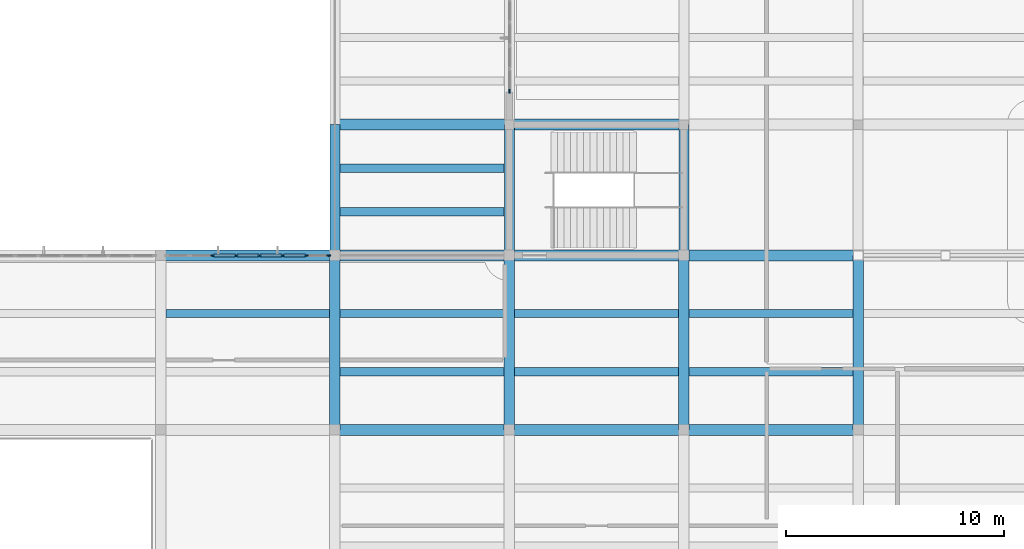
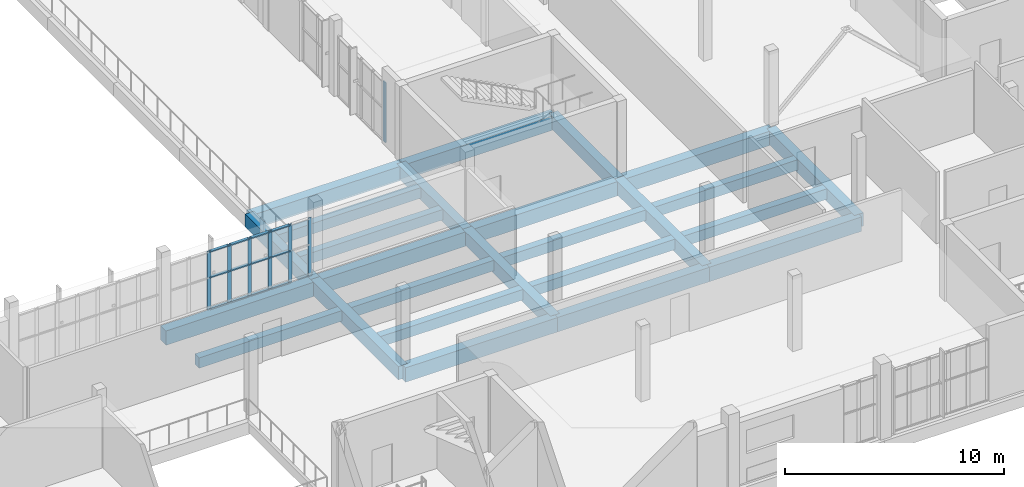
# One storey, part 19 of 70: 25 beams, 19 members, 2 elements without a shape of their own.
"""IFC4 building model written with IfcOpenShell, lengths in metres."""

from ifc_helpers import new_model, si_unit, direction, frame, origin, origin_2d, place, context, subcontext, project, spatial, rectangle, extrude, material, layer, layer_set, material_profile, profile_set, type_object, element, aggregate, save


model = new_model("IFC4")

# Units and contexts
model_context = context("Model", 3, precision=1e-05, world=origin(), true_north=direction((0.0, 1.0)))
body_context = subcontext(model_context, "Body", "Model", "MODEL_VIEW")
ifc_project = project(units=[si_unit("LENGTHUNIT", "METRE"), si_unit("AREAUNIT", "SQUARE_METRE"), si_unit("VOLUMEUNIT", "CUBIC_METRE"), si_unit("PLANEANGLEUNIT", "RADIAN"), si_unit("MASSUNIT", "GRAM", prefix="KILO")], contexts=[model_context])

# Site, building, storey
site_placement = place(None, origin())
site = spatial("IfcSite", under=ifc_project, at=site_placement, CompositionType="ELEMENT")
building_placement = place(site_placement, origin())
building = spatial("IfcBuilding", under=site, at=building_placement, Name="Solvane Community Centre", CompositionType="ELEMENT")
storey_placement = place(building_placement, frame((0.0, 0.0, 9.60009765625)))
storey = spatial("IfcBuildingStorey", under=building, at=storey_placement, Name="L02", CompositionType="ELEMENT", Elevation=9.60009765625)

# Curtain wall, members
ifc_material_1 = material(Name="Anodised bronze aluminium AW-6063 T6", Category="aluminium")
ifc_layer_1 = layer(ifc_material_1, 0.18994140625)
ifc_layer_set_1 = layer_set([ifc_layer_1], Name="Anodised bronze aluminium AW-6063 T6")
curtain_wall_type_1 = type_object("IfcCurtainWallType", Name="Boulevard Bronze Vision Curtain Wall [75x32dm]", PredefinedType="NOTDEFINED", material=ifc_layer_set_1)
curtain_wall_1_placement = place(storey_placement, origin())
curtain_wall_1 = element("IfcCurtainWall", 1, at=curtain_wall_1_placement, inside=storey, type_object=curtain_wall_type_1, Name="Curtain Wall CW-L02-1003_300-195", PredefinedType="NOTDEFINED")
ifc_material_profile_1 = material_profile(ifc_material_1, rectangle(XDim=0.06005859375, YDim=0.18994140625, at=origin_2d()), Name="CW-M 60x190")
ifc_profile_set_1 = profile_set([ifc_material_profile_1], Name="Anodised bronze aluminium AW-6063 T6")
member_type_1 = type_object("IfcMemberType", Name="Boulevard Mullion 60x190", PredefinedType="MULLION", material=ifc_profile_set_1)
member_1_placement = place(storey_placement, frame((102.39501953125, 30.0, 0.0), z_axis=(0.0, 0.0, 1.0), x_axis=(0.0, 1.0, 0.0)))
member_1 = element("IfcMember", 2, at=member_1_placement, type_object=member_type_1, Name="CW02-75x32 mullion 3", PredefinedType="MULLION", context=body_context, shape_type="SweptSolid", body=[
    extrude(rectangle(XDim=0.06005859375, YDim=0.18994140625, at=origin_2d()), origin(), (0.0, 0.0, 1.0), 3.244873046875),
])
member_2_placement = place(storey_placement, frame((103.465087890625, 30.0, 0.0), z_axis=(0.0, 0.0, 1.0), x_axis=(0.0, 1.0, 0.0)))
member_2 = element("IfcMember", 3, at=member_2_placement, type_object=member_type_1, Name="CW02-75x32 mullion 4", PredefinedType="MULLION", context=body_context, shape_type="SweptSolid", body=[
    extrude(rectangle(XDim=0.06005859375, YDim=0.18994140625, at=origin_2d()), origin(), (0.0, 0.0, 1.0), 3.244873046875),
])
member_3_placement = place(storey_placement, frame((104.534912109375, 30.0, 0.0), z_axis=(0.0, 0.0, 1.0), x_axis=(0.0, 1.0, 0.0)))
member_3 = element("IfcMember", 4, at=member_3_placement, type_object=member_type_1, Name="CW02-75x32 mullion 5", PredefinedType="MULLION", context=body_context, shape_type="SweptSolid", body=[
    extrude(rectangle(XDim=0.06005859375, YDim=0.18994140625, at=origin_2d()), origin(), (0.0, 0.0, 1.0), 3.244873046875),
])
member_4_placement = place(storey_placement, frame((105.60498046875, 30.0, 0.0), z_axis=(0.0, 0.0, 1.0), x_axis=(0.0, 1.0, 0.0)))
member_4 = element("IfcMember", 5, at=member_4_placement, type_object=member_type_1, Name="CW02-75x32 mullion 6", PredefinedType="MULLION", context=body_context, shape_type="SweptSolid", body=[
    extrude(rectangle(XDim=0.06005859375, YDim=0.18994140625, at=origin_2d()), origin(), (0.0, 0.0, 1.0), 3.244873046875),
])
member_5_placement = place(storey_placement, frame((106.675048828125, 30.0, 0.0), z_axis=(0.0, 0.0, 1.0), x_axis=(0.0, 1.0, 0.0)))
member_5 = element("IfcMember", 6, at=member_5_placement, type_object=member_type_1, Name="CW02-75x32 mullion 7", PredefinedType="MULLION", context=body_context, shape_type="SweptSolid", body=[
    extrude(rectangle(XDim=0.06005859375, YDim=0.18994140625, at=origin_2d()), origin(), (0.0, 0.0, 1.0), 3.244873046875),
])
member_6_placement = place(storey_placement, frame((107.715087890625, 30.0, 0.0), z_axis=(0.0, 0.0, 1.0), x_axis=(0.0, 1.0, 0.0)))
member_6 = element("IfcMember", 7, at=member_6_placement, type_object=member_type_1, Name="CW02-75x32 mullion 8", PredefinedType="MULLION", context=body_context, shape_type="SweptSolid", body=[
    extrude(rectangle(XDim=0.06005859375, YDim=0.18994140625, at=origin_2d()), origin(), (0.0, 0.0, 1.0), 3.244873046875),
])

# Curtain wall, member
ifc_layer_2 = layer(ifc_material_1, 0.18994140625)
ifc_layer_set_2 = layer_set([ifc_layer_2], Name="Anodised bronze aluminium AW-6063 T6")
curtain_wall_type_2 = type_object("IfcCurtainWallType", Name="Boulevard Bronze Vision Curtain Wall [43x33dm]", PredefinedType="NOTDEFINED", material=ifc_layer_set_2)
curtain_wall_2_placement = place(storey_placement, origin())
curtain_wall_2 = element("IfcCurtainWall", 8, at=curtain_wall_2_placement, inside=storey, type_object=curtain_wall_type_2, Name="Curtain Wall CW-L02-1160_375-196", PredefinedType="NOTDEFINED")
member_7_placement = place(storey_placement, frame((116.0, 37.530029296875, 0.0), z_axis=(0.0, 0.0, 1.0), x_axis=(-1.0, 0.0, 0.0)))
member_7 = element("IfcMember", 9, at=member_7_placement, type_object=member_type_1, Name="CW02-43x33 mullion 1", PredefinedType="MULLION", context=body_context, shape_type="SweptSolid", body=[
    extrude(rectangle(XDim=0.06005859375, YDim=0.18994140625, at=origin_2d()), origin(), (0.0, 0.0, 1.0), 3.344970703125),
])
aggregate(curtain_wall_2, [member_7])

# Member
ifc_material_profile_2 = material_profile(ifc_material_1, rectangle(XDim=0.14990234375, YDim=0.06005859375, at=origin_2d()), Name="CW-T 60x150")
ifc_profile_set_2 = profile_set([ifc_material_profile_2], Name="Anodised bronze aluminium AW-6063 T6")
member_type_2 = type_object("IfcMemberType", Name="Boulevard Transom 60x150", PredefinedType="USERDEFINED", material=ifc_profile_set_2)
member_8_placement = place(storey_placement, frame((102.425048828125, 30.0, 0.02978515625), z_axis=(1.0, 0.0, 0.0), x_axis=(0.0, 1.0, 0.0)))
member_8 = element("IfcMember", 10, at=member_8_placement, type_object=member_type_2, Name="CW02-75x32 transom 3.1", ObjectType="TRANSOM", PredefinedType="USERDEFINED", context=body_context, shape_type="SweptSolid", body=[
    extrude(rectangle(XDim=0.14990234375, YDim=0.06005859375, at=origin_2d()), origin(), (0.0, 0.0, 1.0), 1.010009765625),
])

member_9_placement = place(storey_placement, frame((102.425048828125, 30.0, 1.784912109375), z_axis=(1.0, 0.0, 0.0), x_axis=(0.0, 1.0, 0.0)))
member_9 = element("IfcMember", 11, at=member_9_placement, type_object=member_type_2, Name="CW02-75x32 transom 3.2", ObjectType="TRANSOM", PredefinedType="USERDEFINED", context=body_context, shape_type="SweptSolid", body=[
    extrude(rectangle(XDim=0.14990234375, YDim=0.06005859375, at=origin_2d()), origin(), (0.0, 0.0, 1.0), 1.010009765625),
])

member_10_placement = place(storey_placement, frame((102.425048828125, 30.0, 3.21484375), z_axis=(1.0, 0.0, 0.0), x_axis=(0.0, 1.0, 0.0)))
member_10 = element("IfcMember", 12, at=member_10_placement, type_object=member_type_2, Name="CW02-75x32 transom 3.3", ObjectType="TRANSOM", PredefinedType="USERDEFINED", context=body_context, shape_type="SweptSolid", body=[
    extrude(rectangle(XDim=0.14990234375, YDim=0.06005859375, at=origin_2d()), origin(), (0.0, 0.0, 1.0), 1.010009765625),
])

member_11_placement = place(storey_placement, frame((103.4951171875, 30.0, 0.02978515625), z_axis=(1.0, 0.0, 0.0), x_axis=(0.0, 1.0, 0.0)))
member_11 = element("IfcMember", 13, at=member_11_placement, type_object=member_type_2, Name="CW02-75x32 transom 4.1", ObjectType="TRANSOM", PredefinedType="USERDEFINED", context=body_context, shape_type="SweptSolid", body=[
    extrude(rectangle(XDim=0.14990234375, YDim=0.06005859375, at=origin_2d()), origin(), (0.0, 0.0, 1.0), 1.009765625),
])

member_12_placement = place(storey_placement, frame((103.4951171875, 30.0, 1.784912109375), z_axis=(1.0, 0.0, 0.0), x_axis=(0.0, 1.0, 0.0)))
member_12 = element("IfcMember", 14, at=member_12_placement, type_object=member_type_2, Name="CW02-75x32 transom 4.2", ObjectType="TRANSOM", PredefinedType="USERDEFINED", context=body_context, shape_type="SweptSolid", body=[
    extrude(rectangle(XDim=0.14990234375, YDim=0.06005859375, at=origin_2d()), origin(), (0.0, 0.0, 1.0), 1.009765625),
])

member_13_placement = place(storey_placement, frame((103.4951171875, 30.0, 3.21484375), z_axis=(1.0, 0.0, 0.0), x_axis=(0.0, 1.0, 0.0)))
member_13 = element("IfcMember", 15, at=member_13_placement, type_object=member_type_2, Name="CW02-75x32 transom 4.3", ObjectType="TRANSOM", PredefinedType="USERDEFINED", context=body_context, shape_type="SweptSolid", body=[
    extrude(rectangle(XDim=0.14990234375, YDim=0.06005859375, at=origin_2d()), origin(), (0.0, 0.0, 1.0), 1.009765625),
])

member_14_placement = place(storey_placement, frame((104.56494140625, 30.0, 0.02978515625), z_axis=(1.0, 0.0, 0.0), x_axis=(0.0, 1.0, 0.0)))
member_14 = element("IfcMember", 16, at=member_14_placement, type_object=member_type_2, Name="CW02-75x32 transom 5.1", ObjectType="TRANSOM", PredefinedType="USERDEFINED", context=body_context, shape_type="SweptSolid", body=[
    extrude(rectangle(XDim=0.14990234375, YDim=0.06005859375, at=origin_2d()), origin(), (0.0, 0.0, 1.0), 1.010009765625),
])

member_15_placement = place(storey_placement, frame((104.56494140625, 30.0, 1.784912109375), z_axis=(1.0, 0.0, 0.0), x_axis=(0.0, 1.0, 0.0)))
member_15 = element("IfcMember", 17, at=member_15_placement, type_object=member_type_2, Name="CW02-75x32 transom 5.2", ObjectType="TRANSOM", PredefinedType="USERDEFINED", context=body_context, shape_type="SweptSolid", body=[
    extrude(rectangle(XDim=0.14990234375, YDim=0.06005859375, at=origin_2d()), origin(), (0.0, 0.0, 1.0), 1.010009765625),
])

member_16_placement = place(storey_placement, frame((104.56494140625, 30.0, 3.21484375), z_axis=(1.0, 0.0, 0.0), x_axis=(0.0, 1.0, 0.0)))
member_16 = element("IfcMember", 18, at=member_16_placement, type_object=member_type_2, Name="CW02-75x32 transom 5.3", ObjectType="TRANSOM", PredefinedType="USERDEFINED", context=body_context, shape_type="SweptSolid", body=[
    extrude(rectangle(XDim=0.14990234375, YDim=0.06005859375, at=origin_2d()), origin(), (0.0, 0.0, 1.0), 1.010009765625),
])

member_17_placement = place(storey_placement, frame((105.635009765625, 30.0, 0.02978515625), z_axis=(1.0, 0.0, 0.0), x_axis=(0.0, 1.0, 0.0)))
member_17 = element("IfcMember", 19, at=member_17_placement, type_object=member_type_2, Name="CW02-75x32 transom 6.1", ObjectType="TRANSOM", PredefinedType="USERDEFINED", context=body_context, shape_type="SweptSolid", body=[
    extrude(rectangle(XDim=0.14990234375, YDim=0.06005859375, at=origin_2d()), origin(), (0.0, 0.0, 1.0), 1.010009765625),
])

member_18_placement = place(storey_placement, frame((105.635009765625, 30.0, 1.784912109375), z_axis=(1.0, 0.0, 0.0), x_axis=(0.0, 1.0, 0.0)))
member_18 = element("IfcMember", 20, at=member_18_placement, type_object=member_type_2, Name="CW02-75x32 transom 6.2", ObjectType="TRANSOM", PredefinedType="USERDEFINED", context=body_context, shape_type="SweptSolid", body=[
    extrude(rectangle(XDim=0.14990234375, YDim=0.06005859375, at=origin_2d()), origin(), (0.0, 0.0, 1.0), 1.010009765625),
])

member_19_placement = place(storey_placement, frame((105.635009765625, 30.0, 3.21484375), z_axis=(1.0, 0.0, 0.0), x_axis=(0.0, 1.0, 0.0)))
member_19 = element("IfcMember", 21, at=member_19_placement, type_object=member_type_2, Name="CW02-75x32 transom 6.3", ObjectType="TRANSOM", PredefinedType="USERDEFINED", context=body_context, shape_type="SweptSolid", body=[
    extrude(rectangle(XDim=0.14990234375, YDim=0.06005859375, at=origin_2d()), origin(), (0.0, 0.0, 1.0), 1.010009765625),
])

aggregate(curtain_wall_1, [member_1, member_2, member_3, member_4, member_5, member_6, member_8, member_9, member_10, member_11, member_12, member_13, member_14, member_15, member_16, member_17, member_18, member_19])

# Beams
ifc_material_2 = material(Name="Concrete C35/45", Category="concrete")
ifc_material_profile_3 = material_profile(ifc_material_2, rectangle(XDim=0.47998046875, YDim=0.739990234375, at=origin_2d()), Name="RC 480x740")
ifc_profile_set_3 = profile_set([ifc_material_profile_3], Name="Concrete C35/45")
beam_type_1 = type_object("IfcBeamType", Name="RC Bay Beam 480x740", PredefinedType="BEAM", material=ifc_profile_set_3)
for number, where, z_axis, x_axis, name in (
    (22, (108.0, 22.0, -0.590087890625), (0.0, 1.0, 0.0), (-1.0, 0.0, 0.0), "Beam BM-L02-1080_220-1080_300"),
    (23, (116.0, 22.0, -0.590087890625), (0.0, 1.0, 0.0), (-1.0, 0.0, 0.0), "Beam BM-L02-1160_220-1160_300"),
    (24, (124.0, 22.0, -0.590087890625), (0.0, 1.0, 0.0), (-1.0, 0.0, 0.0), "Beam BM-L02-1240_220-1240_300"),
    (25, (132.0, 22.0, -0.590087890625), (0.0, 1.0, 0.0), (-1.0, 0.0, 0.0), "Beam BM-L02-1320_220-1320_300"),
):
    element("IfcBeam", number, at=place(storey_placement, frame(where, z_axis=z_axis, x_axis=x_axis)), inside=storey, type_object=beam_type_1, Name=name, PredefinedType="BEAM", context=body_context, shape_type="SweptSolid", body=[
        extrude(rectangle(XDim=0.47998046875, YDim=0.739990234375, at=origin_2d()), origin(), (0.0, 0.0, 1.0), 8.0),
    ])
ifc_material_profile_4 = material_profile(ifc_material_2, rectangle(XDim=0.4599609375, YDim=0.719970703125, at=origin_2d()), Name="RC 460x720")
ifc_profile_set_4 = profile_set([ifc_material_profile_4], Name="Concrete C35/45")
beam_type_2 = type_object("IfcBeamType", Name="RC Cloister Beam 460x720", PredefinedType="BEAM", material=ifc_profile_set_4)
for number, where, z_axis, x_axis, name in (
    (26, (108.0, 30.0, -0.580078125), (0.0, 1.0, 0.0), (-1.0, 0.0, 0.0), "Beam BM-L02-1080_300-1080_360"),
    (27, (116.0, 30.0, -0.580078125), (0.0, 1.0, 0.0), (-1.0, 0.0, 0.0), "Beam BM-L02-1160_300-1160_360"),
    (28, (124.0, 30.0, -0.580078125), (0.0, 1.0, 0.0), (-1.0, 0.0, 0.0), "Beam BM-L02-1240_300-1240_360"),
):
    element("IfcBeam", number, at=place(storey_placement, frame(where, z_axis=z_axis, x_axis=x_axis)), inside=storey, type_object=beam_type_2, Name=name, PredefinedType="BEAM", context=body_context, shape_type="SweptSolid", body=[
        extrude(rectangle(XDim=0.4599609375, YDim=0.719970703125, at=origin_2d()), origin(), (0.0, 0.0, 1.0), 6.0),
    ])
ifc_material_profile_5 = material_profile(ifc_material_2, rectangle(XDim=0.5, YDim=0.800048828125, at=origin_2d()), Name="RC 500x800")
ifc_profile_set_5 = profile_set([ifc_material_profile_5], Name="Concrete C35/45")
beam_type_3 = type_object("IfcBeamType", Name="RC Primary Girder 500x800", PredefinedType="USERDEFINED", material=ifc_profile_set_5)
for number, where, z_axis, x_axis, name in (
    (29, (108.0, 22.0, -0.6201171875), (1.0, 0.0, 0.0), (0.0, 1.0, 0.0), "Beam BM-L02-1080_220-1160_220"),
    (30, (116.0, 22.0, -0.6201171875), (1.0, 0.0, 0.0), (0.0, 1.0, 0.0), "Beam BM-L02-1160_220-1240_220"),
    (31, (124.0, 22.0, -0.6201171875), (1.0, 0.0, 0.0), (0.0, 1.0, 0.0), "Beam BM-L02-1240_220-1320_220"),
    (32, (100.0, 30.0, -0.6201171875), (1.0, 0.0, 0.0), (0.0, 1.0, 0.0), "Beam BM-L02-1000_300-1080_300"),
    (33, (108.0, 30.0, -0.6201171875), (1.0, 0.0, 0.0), (0.0, 1.0, 0.0), "Beam BM-L02-1080_300-1160_300"),
    (34, (116.0, 30.0, -0.6201171875), (1.0, 0.0, 0.0), (0.0, 1.0, 0.0), "Beam BM-L02-1160_300-1240_300"),
    (35, (124.0, 30.0, -0.6201171875), (1.0, 0.0, 0.0), (0.0, 1.0, 0.0), "Beam BM-L02-1240_300-1320_300"),
    (36, (108.0, 36.0, -0.6201171875), (1.0, 0.0, 0.0), (0.0, 1.0, 0.0), "Beam BM-L02-1080_360-1160_360"),
    (37, (116.0, 36.0, -0.6201171875), (1.0, 0.0, 0.0), (0.0, 1.0, 0.0), "Beam BM-L02-1160_360-1240_360"),
):
    element("IfcBeam", number, at=place(storey_placement, frame(where, z_axis=z_axis, x_axis=x_axis)), inside=storey, type_object=beam_type_3, Name=name, ObjectType="GIRDER", PredefinedType="USERDEFINED", context=body_context, shape_type="SweptSolid", body=[
        extrude(rectangle(XDim=0.5, YDim=0.800048828125, at=origin_2d()), origin(), (0.0, 0.0, 1.0), 8.0),
    ])
ifc_material_profile_6 = material_profile(ifc_material_2, rectangle(XDim=0.3798828125, YDim=0.580078125, at=origin_2d()), Name="RC 380x580")
ifc_profile_set_6 = profile_set([ifc_material_profile_6], Name="Concrete C35/45")
beam_type_4 = type_object("IfcBeamType", Name="RC Short Joist 380x580", PredefinedType="JOIST", material=ifc_profile_set_6)
for number, where, z_axis, x_axis, name in (
    (38, (100.239990234375, 27.333251953125, -0.510009765625), (1.0, 0.0, 0.0), (0.0, 1.0, 0.0), "Beam BM-L02-1002_273-1078_273"),
    (39, (108.239990234375, 24.666748046875, -0.510009765625), (1.0, 0.0, 0.0), (0.0, 1.0, 0.0), "Beam BM-L02-1082_247-1158_247"),
    (40, (108.239990234375, 27.333251953125, -0.510009765625), (1.0, 0.0, 0.0), (0.0, 1.0, 0.0), "Beam BM-L02-1082_273-1158_273"),
    (41, (108.239990234375, 32.0, -0.510009765625), (1.0, 0.0, 0.0), (0.0, 1.0, 0.0), "Beam BM-L02-1082_320-1158_320"),
    (42, (108.239990234375, 34.0, -0.510009765625), (1.0, 0.0, 0.0), (0.0, 1.0, 0.0), "Beam BM-L02-1082_340-1158_340"),
    (43, (116.239990234375, 24.666748046875, -0.510009765625), (1.0, 0.0, 0.0), (0.0, 1.0, 0.0), "Beam BM-L02-1162_247-1238_247"),
    (44, (116.239990234375, 27.333251953125, -0.510009765625), (1.0, 0.0, 0.0), (0.0, 1.0, 0.0), "Beam BM-L02-1162_273-1238_273"),
    (45, (124.239990234375, 24.666748046875, -0.510009765625), (1.0, 0.0, 0.0), (0.0, 1.0, 0.0), "Beam BM-L02-1242_247-1318_247"),
    (46, (124.239990234375, 27.333251953125, -0.510009765625), (1.0, 0.0, 0.0), (0.0, 1.0, 0.0), "Beam BM-L02-1242_273-1318_273"),
):
    element("IfcBeam", number, at=place(storey_placement, frame(where, z_axis=z_axis, x_axis=x_axis)), inside=storey, type_object=beam_type_4, Name=name, PredefinedType="JOIST", context=body_context, shape_type="SweptSolid", body=[
        extrude(rectangle(XDim=0.3798828125, YDim=0.580078125, at=origin_2d()), origin(), (0.0, 0.0, 1.0), 7.52001953125),
    ])

save(model, "model.ifc")
